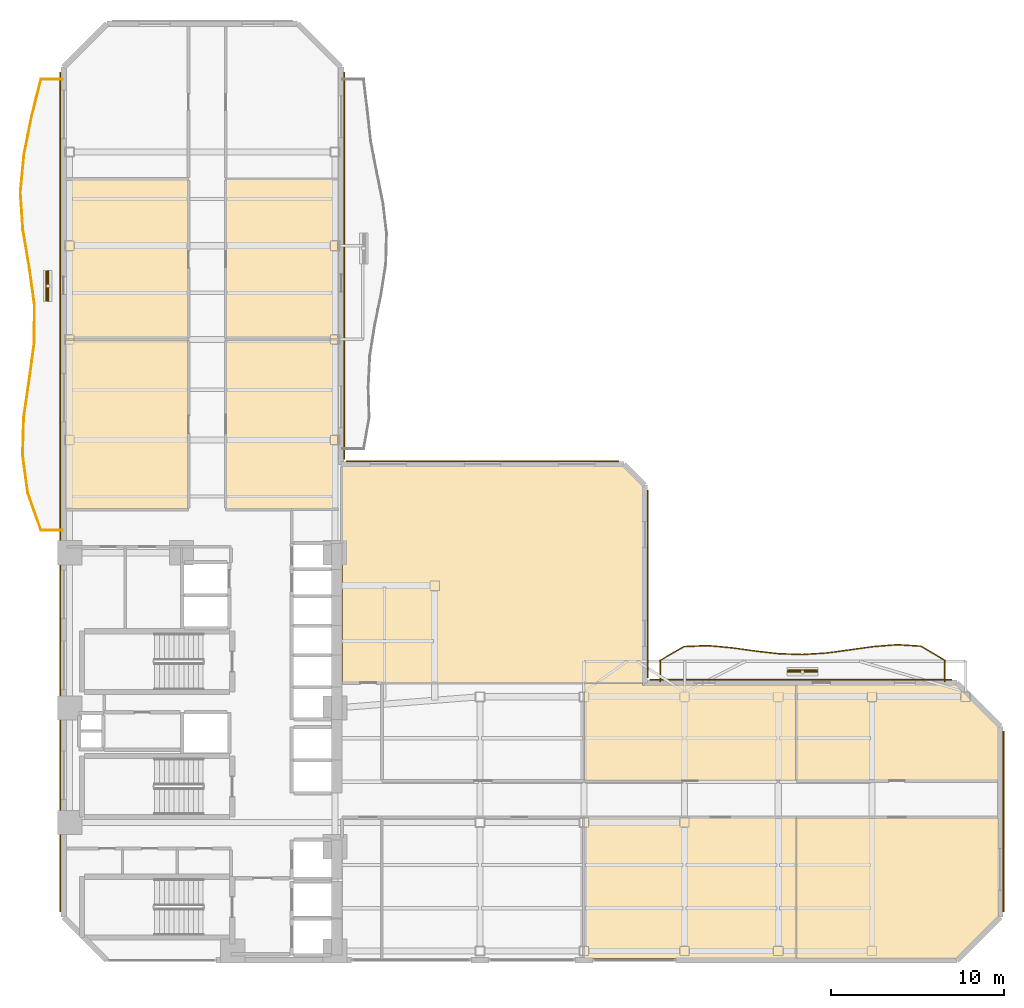
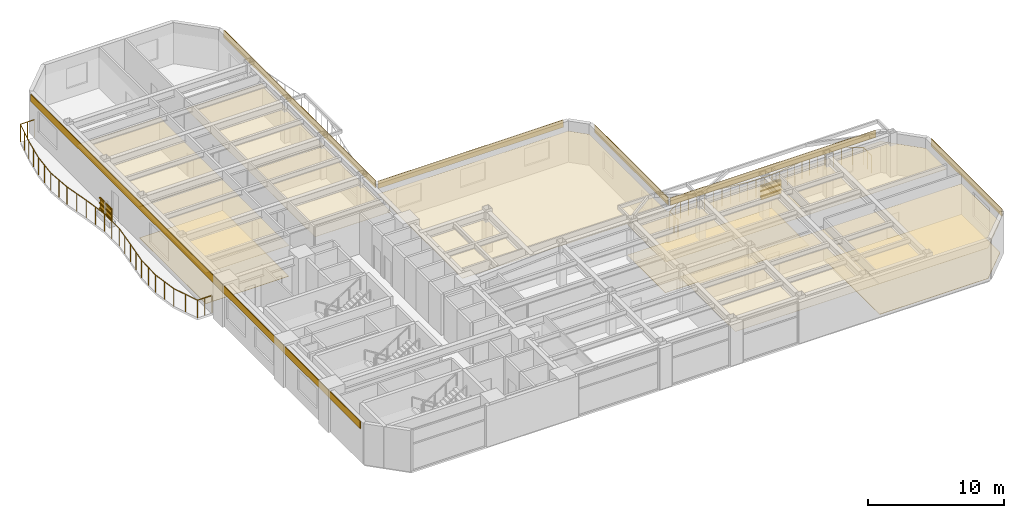
# One storey, part 15 of 16: 18 coverings, 8 shading devices, 2 railings.
"""IFC4 building model written with IfcOpenShell, lengths in metres."""

from ifc_helpers import new_model, si_unit, direction, frame, origin, origin_2d, place, context, subcontext, project, spatial, polyline, rectangle, outline, extrude, material, layer, layer_set, material_profile, profile_set, type_object, element, save


model = new_model("IFC4")

# Units and contexts
model_context = context("Model", 3, precision=1e-05, world=origin(), true_north=direction((0.0, 1.0)))
body_context = subcontext(model_context, "Body", "Model", "MODEL_VIEW")
ifc_project = project(units=[si_unit("LENGTHUNIT", "METRE"), si_unit("AREAUNIT", "SQUARE_METRE"), si_unit("VOLUMEUNIT", "CUBIC_METRE"), si_unit("PLANEANGLEUNIT", "RADIAN"), si_unit("MASSUNIT", "GRAM", prefix="KILO")], contexts=[model_context])

# Site, building, storey
site_placement = place(None, origin())
site = spatial("IfcSite", under=ifc_project, at=site_placement, CompositionType="ELEMENT")
building_placement = place(site_placement, origin())
building = spatial("IfcBuilding", under=site, at=building_placement, Name="Mawjaban Terraces University", CompositionType="ELEMENT")
storey_placement = place(building_placement, frame((0.0, 0.0, 38.800048828125)))
storey = spatial("IfcBuildingStorey", under=building, at=storey_placement, Name="L08", CompositionType="ELEMENT", Elevation=38.800048828125)

# Coverings
ifc_material_1 = material(Name="Acoustic mineral fibre ceiling tile", Category="masonry")
ifc_layer_1 = layer(ifc_material_1, 0.02001953125)
ifc_layer_set_1 = layer_set([ifc_layer_1], Name="Acoustic mineral fibre ceiling tile")
covering_type_1 = type_object("IfcCoveringType", Name="AcousticMineralCeiling_20", PredefinedType="CEILING", material=ifc_layer_set_1)
covering_1_placement = place(storey_placement, frame((0.0, 0.0, 2.75)))
element("IfcCovering", 1, at=covering_1_placement, inside=storey, type_object=covering_type_1, Name="L08 Teaching Laboratory 4 Acoustic Ceiling", PredefinedType="CEILING", context=body_context, shape_type="SweptSolid", body=[
    extrude(outline(polyline([(52.030029296875, 0.114990234375), (64.2060546875, 0.114990234375), (64.2060546875, 8.219970703125), (52.030029296875, 8.219970703125), (52.030029296875, 0.114990234375)])), origin(), (0.0, 0.0, 1.0), 0.02001953125),
])
covering_2_placement = place(storey_placement, frame((0.0, 0.0, 2.75)))
element("IfcCovering", 2, at=covering_2_placement, inside=storey, type_object=covering_type_1, Name="L08 Seminar Room 5 Acoustic Ceiling", PredefinedType="CEILING", context=body_context, shape_type="SweptSolid", body=[
    extrude(outline(polyline([(64.2060546875, 15.885009765625), (55.385009765625, 15.885009765625), (55.385009765625, 15.969970703125), (52.030029296875, 15.969970703125), (52.030029296875, 10.3798828125), (64.2060546875, 10.3798828125), (64.2060546875, 15.885009765625)])), origin(), (0.0, 0.0, 1.0), 0.02001953125),
])
covering_3_placement = place(storey_placement, frame((0.0, 0.0, 2.75)))
element("IfcCovering", 3, at=covering_3_placement, inside=storey, type_object=covering_type_1, Name="L08 Classroom 6 Acoustic Ceiling", PredefinedType="CEILING", context=body_context, shape_type="SweptSolid", body=[
    extrude(outline(polyline([(64.26611328125, 0.114990234375), (73.452880859375, 0.114990234375), (75.885009765625, 2.547119140625), (75.885009765625, 8.219970703125), (64.26611328125, 8.219970703125), (64.26611328125, 0.114990234375)])), origin(), (0.0, 0.0, 1.0), 0.02001953125),
])
covering_4_placement = place(storey_placement, frame((0.0, 0.0, 2.75)))
element("IfcCovering", 4, at=covering_4_placement, inside=storey, type_object=covering_type_1, Name="L08 Faculty Office 7 Acoustic Ceiling", PredefinedType="CEILING", context=body_context, shape_type="SweptSolid", body=[
    extrude(outline(polyline([(75.885009765625, 10.3798828125), (75.885009765625, 13.452880859375), (73.452880859375, 15.885009765625), (64.26611328125, 15.885009765625), (64.26611328125, 10.3798828125), (75.885009765625, 10.3798828125)])), origin(), (0.0, 0.0, 1.0), 0.02001953125),
])
covering_5_placement = place(storey_placement, frame((0.0, 0.0, 2.75)))
element("IfcCovering", 5, at=covering_5_placement, inside=storey, type_object=covering_type_1, Name="L08 Classroom 8 Acoustic Ceiling", PredefinedType="CEILING", context=body_context, shape_type="SweptSolid", body=[
    extrude(outline(polyline([(22.114990234375, 35.77001953125), (22.114990234375, 26.030029296875), (29.169921875, 26.030029296875), (29.169921875, 35.77001953125), (22.114990234375, 35.77001953125)])), origin(), (0.0, 0.0, 1.0), 0.02001953125),
])
covering_6_placement = place(storey_placement, frame((0.0, 0.0, 2.75)))
element("IfcCovering", 6, at=covering_6_placement, inside=storey, type_object=covering_type_1, Name="L08 Computational Laboratory 9 Acoustic Ceiling", PredefinedType="CEILING", context=body_context, shape_type="SweptSolid", body=[
    extrude(outline(polyline([(37.820068359375, 26.030029296875), (37.820068359375, 35.77001953125), (31.3798828125, 35.77001953125), (31.3798828125, 26.030029296875), (37.820068359375, 26.030029296875)])), origin(), (0.0, 0.0, 1.0), 0.02001953125),
])
covering_7_placement = place(storey_placement, frame((0.0, 0.0, 2.75)))
element("IfcCovering", 7, at=covering_7_placement, inside=storey, type_object=covering_type_1, Name="L08 Design Studio 10 Acoustic Ceiling", PredefinedType="CEILING", context=body_context, shape_type="SweptSolid", body=[
    extrude(outline(polyline([(22.114990234375, 45.010009765625), (22.114990234375, 35.830078125), (29.169921875, 35.830078125), (29.169921875, 45.010009765625), (22.114990234375, 45.010009765625)])), origin(), (0.0, 0.0, 1.0), 0.02001953125),
])
covering_8_placement = place(storey_placement, frame((0.0, 0.0, 2.75)))
element("IfcCovering", 8, at=covering_8_placement, inside=storey, type_object=covering_type_1, Name="L08 Faculty Office 11 Acoustic Ceiling", PredefinedType="CEILING", context=body_context, shape_type="SweptSolid", body=[
    extrude(outline(polyline([(37.820068359375, 35.830078125), (37.820068359375, 45.010009765625), (31.3798828125, 45.010009765625), (31.3798828125, 35.830078125), (37.820068359375, 35.830078125)])), origin(), (0.0, 0.0, 1.0), 0.02001953125),
])
covering_9_placement = place(storey_placement, frame((0.0, 0.0, 2.75)))
element("IfcCovering", 9, at=covering_9_placement, inside=storey, type_object=covering_type_1, Name="L08 Terrace Collaborative Study Room Acoustic Ceiling", PredefinedType="CEILING", context=body_context, shape_type="SweptSolid", body=[
    extrude(outline(polyline([(55.385009765625, 16.030029296875), (55.385009765625, 27.35302734375), (54.2529296875, 28.485107421875), (38.080078125, 28.485107421875), (38.080078125, 16.030029296875), (55.385009765625, 16.030029296875)])), origin(), (0.0, 0.0, 1.0), 0.02001953125),
])

# Railings
ifc_material_2 = material(Name="Galvanised powder-coated steel S355", Category="steel")
railing_type = type_object("IfcRailingType", Name="BalconyBalustrade_1600", PredefinedType="BALUSTRADE", material=ifc_material_2)
railing_1_placement = place(storey_placement, frame((21.919921875, 24.800048828125, 0.0)))
element("IfcRailing", 10, at=railing_1_placement, inside=storey, type_object=railing_type, Name="L08 Balcony Guardrail west", PredefinedType="BALUSTRADE", context=body_context, shape_type="SweptSolid", body=[
    extrude(rectangle(XDim=0.048095703125, YDim=0.048095703125, at=origin_2d()), frame((0.0, 0.0, 1.576171875), z_axis=(-1.0, 0.0, 0.0), x_axis=(0.0, -1.0, 0.0)), (0.0, 0.0, 1.0), 1.219970703125),
    extrude(rectangle(XDim=0.048095703125, YDim=0.048095703125, at=origin_2d()), frame((-1.219970703125, 0.0, 1.576171875), z_axis=(-0.332091827978, 0.943247060844, 0.0), x_axis=(-0.943247060844, -0.332091827978, 0.0)), (0.0, 0.0, 1.0), 2.29736328125),
    extrude(rectangle(XDim=0.048095703125, YDim=0.048095703125, at=origin_2d()), frame((-1.98291015625, 2.1669921875, 1.576171875), z_axis=(-0.134036483036, 0.99097639791, 0.0), x_axis=(-0.99097639791, -0.134036483036, 0.0)), (0.0, 0.0, 1.0), 2.185791015625),
    extrude(rectangle(XDim=0.048095703125, YDim=0.048095703125, at=origin_2d()), frame((-2.27587890625, 4.3330078125, 1.576171875), z_axis=(0.027704548694, 0.999616155322, 0.0), x_axis=(-0.999616155322, 0.027704548694, 0.0)), (0.0, 0.0, 1.0), 2.167724609375),
    extrude(rectangle(XDim=0.048095703125, YDim=0.048095703125, at=origin_2d()), frame((-2.2158203125, 6.5, 1.576171875), z_axis=(0.145134557046, 0.989411926526, 0.0), x_axis=(-0.989411926526, 0.145134557046, 0.0)), (0.0, 0.0, 1.0), 2.190185546875),
    extrude(rectangle(XDim=0.048095703125, YDim=0.048095703125, at=origin_2d()), frame((-1.89794921875, 8.6669921875, 1.576171875), z_axis=(0.134036483036, 0.99097639791, 0.0), x_axis=(-0.99097639791, 0.134036483036, 0.0)), (0.0, 0.0, 1.0), 2.185791015625),
    extrude(rectangle(XDim=0.048095703125, YDim=0.048095703125, at=origin_2d()), frame((-1.60498046875, 10.8330078125, 1.576171875), z_axis=(0.004168508172, 0.999991311732, 0.0), x_axis=(-0.999991311732, 0.004168508172, 0.0)), (0.0, 0.0, 1.0), 2.1669921875),
    extrude(rectangle(XDim=0.048095703125, YDim=0.048095703125, at=origin_2d()), frame((-1.595947265625, 13.0, 1.576171875), z_axis=(-0.135730828376, 0.990745750548, 0.0), x_axis=(-0.990745750548, -0.135730828376, 0.0)), (0.0, 0.0, 1.0), 2.187255859375),
    extrude(rectangle(XDim=0.048095703125, YDim=0.048095703125, at=origin_2d()), frame((-1.892822265625, 15.1669921875, 1.576171875), z_axis=(-0.16843338227, 0.985713039245, 0.0), x_axis=(-0.985713039245, -0.16843338227, 0.0)), (0.0, 0.0, 1.0), 2.197509765625),
    extrude(rectangle(XDim=0.048095703125, YDim=0.048095703125, at=origin_2d()), frame((-2.262939453125, 17.3330078125, 1.576171875), z_axis=(-0.066325018288, 0.997798071731, 0.0), x_axis=(-0.997798071731, -0.066325018288, 0.0)), (0.0, 0.0, 1.0), 2.171875),
    extrude(rectangle(XDim=0.048095703125, YDim=0.048095703125, at=origin_2d()), frame((-2.406982421875, 19.5, 1.576171875), z_axis=(0.09643887579, 0.995338908732, 0.0), x_axis=(-0.995338908732, 0.09643887579, 0.0)), (0.0, 0.0, 1.0), 2.17724609375),
    extrude(rectangle(XDim=0.048095703125, YDim=0.048095703125, at=origin_2d()), frame((-2.197021484375, 21.6669921875, 1.576171875), z_axis=(0.195223187097, 0.98075884254, 0.0), x_axis=(-0.98075884254, 0.195223187097, 0.0)), (0.0, 0.0, 1.0), 2.20849609375),
    extrude(rectangle(XDim=0.048095703125, YDim=0.048095703125, at=origin_2d()), frame((-1.765869140625, 23.8330078125, 1.576171875), z_axis=(0.24428323301, 0.969703924953, 0.0), x_axis=(-0.969703924953, 0.24428323301, 0.0)), (0.0, 0.0, 1.0), 2.234619140625),
    extrude(rectangle(XDim=0.048095703125, YDim=0.048095703125, at=origin_2d()), frame((-1.219970703125, 26.0, 1.576171875), z_axis=(1.0, 0.0, 0.0), x_axis=(0.0, 1.0, 0.0)), (0.0, 0.0, 1.0), 1.219970703125),
    extrude(rectangle(XDim=0.0419921875, YDim=0.0419921875, at=origin_2d()), origin(), (0.0, 0.0, 1.0), 1.552001953125),
    extrude(rectangle(XDim=0.0419921875, YDim=0.0419921875, at=origin_2d()), frame((-0.60986328125, 0.0, 0.0)), (0.0, 0.0, 1.0), 1.552001953125),
    extrude(rectangle(XDim=0.0419921875, YDim=0.0419921875, at=origin_2d()), frame((-1.219970703125, 0.0, 0.0)), (0.0, 0.0, 1.0), 1.552001953125),
    extrude(rectangle(XDim=0.0419921875, YDim=0.0419921875, at=origin_2d()), frame((-1.6015625, 1.08349609375, 0.0)), (0.0, 0.0, 1.0), 1.552001953125),
    extrude(rectangle(XDim=0.0419921875, YDim=0.0419921875, at=origin_2d()), frame((-1.98291015625, 2.1669921875, 0.0)), (0.0, 0.0, 1.0), 1.552001953125),
    extrude(rectangle(XDim=0.0419921875, YDim=0.0419921875, at=origin_2d()), frame((-2.12939453125, 3.25, 0.0)), (0.0, 0.0, 1.0), 1.552001953125),
    extrude(rectangle(XDim=0.0419921875, YDim=0.0419921875, at=origin_2d()), frame((-2.27587890625, 4.3330078125, 0.0)), (0.0, 0.0, 1.0), 1.552001953125),
    extrude(rectangle(XDim=0.0419921875, YDim=0.0419921875, at=origin_2d()), frame((-2.245849609375, 5.41650390625, 0.0)), (0.0, 0.0, 1.0), 1.552001953125),
    extrude(rectangle(XDim=0.0419921875, YDim=0.0419921875, at=origin_2d()), frame((-2.2158203125, 6.5, 0.0)), (0.0, 0.0, 1.0), 1.552001953125),
    extrude(rectangle(XDim=0.0419921875, YDim=0.0419921875, at=origin_2d()), frame((-2.056884765625, 7.58349609375, 0.0)), (0.0, 0.0, 1.0), 1.552001953125),
    extrude(rectangle(XDim=0.0419921875, YDim=0.0419921875, at=origin_2d()), frame((-1.89794921875, 8.6669921875, 0.0)), (0.0, 0.0, 1.0), 1.552001953125),
    extrude(rectangle(XDim=0.0419921875, YDim=0.0419921875, at=origin_2d()), frame((-1.75146484375, 9.75, 0.0)), (0.0, 0.0, 1.0), 1.552001953125),
    extrude(rectangle(XDim=0.0419921875, YDim=0.0419921875, at=origin_2d()), frame((-1.60498046875, 10.8330078125, 0.0)), (0.0, 0.0, 1.0), 1.552001953125),
    extrude(rectangle(XDim=0.0419921875, YDim=0.0419921875, at=origin_2d()), frame((-1.6005859375, 11.91650390625, 0.0)), (0.0, 0.0, 1.0), 1.552001953125),
    extrude(rectangle(XDim=0.0419921875, YDim=0.0419921875, at=origin_2d()), frame((-1.595947265625, 13.0, 0.0)), (0.0, 0.0, 1.0), 1.552001953125),
    extrude(rectangle(XDim=0.0419921875, YDim=0.0419921875, at=origin_2d()), frame((-1.744384765625, 14.08349609375, 0.0)), (0.0, 0.0, 1.0), 1.552001953125),
    extrude(rectangle(XDim=0.0419921875, YDim=0.0419921875, at=origin_2d()), frame((-1.892822265625, 15.1669921875, 0.0)), (0.0, 0.0, 1.0), 1.552001953125),
    extrude(rectangle(XDim=0.0419921875, YDim=0.0419921875, at=origin_2d()), frame((-2.077880859375, 16.25, 0.0)), (0.0, 0.0, 1.0), 1.552001953125),
    extrude(rectangle(XDim=0.0419921875, YDim=0.0419921875, at=origin_2d()), frame((-2.262939453125, 17.3330078125, 0.0)), (0.0, 0.0, 1.0), 1.552001953125),
    extrude(rectangle(XDim=0.0419921875, YDim=0.0419921875, at=origin_2d()), frame((-2.3349609375, 18.41650390625, 0.0)), (0.0, 0.0, 1.0), 1.552001953125),
    extrude(rectangle(XDim=0.0419921875, YDim=0.0419921875, at=origin_2d()), frame((-2.406982421875, 19.5, 0.0)), (0.0, 0.0, 1.0), 1.552001953125),
    extrude(rectangle(XDim=0.0419921875, YDim=0.0419921875, at=origin_2d()), frame((-2.302001953125, 20.58349609375, 0.0)), (0.0, 0.0, 1.0), 1.552001953125),
    extrude(rectangle(XDim=0.0419921875, YDim=0.0419921875, at=origin_2d()), frame((-2.197021484375, 21.6669921875, 0.0)), (0.0, 0.0, 1.0), 1.552001953125),
    extrude(rectangle(XDim=0.0419921875, YDim=0.0419921875, at=origin_2d()), frame((-1.9814453125, 22.75, 0.0)), (0.0, 0.0, 1.0), 1.552001953125),
    extrude(rectangle(XDim=0.0419921875, YDim=0.0419921875, at=origin_2d()), frame((-1.765869140625, 23.8330078125, 0.0)), (0.0, 0.0, 1.0), 1.552001953125),
    extrude(rectangle(XDim=0.0419921875, YDim=0.0419921875, at=origin_2d()), frame((-1.492919921875, 24.91650390625, 0.0)), (0.0, 0.0, 1.0), 1.552001953125),
    extrude(rectangle(XDim=0.0419921875, YDim=0.0419921875, at=origin_2d()), frame((-1.219970703125, 26.0, 0.0)), (0.0, 0.0, 1.0), 1.552001953125),
    extrude(rectangle(XDim=0.0419921875, YDim=0.0419921875, at=origin_2d()), frame((-0.60986328125, 26.0, 0.0)), (0.0, 0.0, 1.0), 1.552001953125),
    extrude(rectangle(XDim=0.0419921875, YDim=0.0419921875, at=origin_2d()), frame((0.0, 26.0, 0.0)), (0.0, 0.0, 1.0), 1.552001953125),
])
railing_2_placement = place(storey_placement, frame((56.39990234375, 16.080078125, 0.0)))
element("IfcRailing", 11, at=railing_2_placement, inside=storey, type_object=railing_type, Name="L08 Balcony Guardrail inner_north", PredefinedType="BALUSTRADE", context=body_context, shape_type="SweptSolid", body=[
    extrude(rectangle(XDim=0.048095703125, YDim=0.048095703125, at=origin_2d()), frame((0.0, 0.0, 1.576171875), z_axis=(0.0, 1.0, 0.0), x_axis=(-1.0, 0.0, 0.0)), (0.0, 0.0, 1.0), 1.219970703125),
    extrude(rectangle(XDim=0.048095703125, YDim=0.048095703125, at=origin_2d()), frame((0.0, 1.219970703125, 1.576171875), z_axis=(0.86395790499, 0.503564036052, 0.0), x_axis=(-0.503564036052, 0.86395790499, 0.0)), (0.0, 0.0, 1.0), 1.58251953125),
    extrude(rectangle(XDim=0.048095703125, YDim=0.048095703125, at=origin_2d()), frame((1.3671875, 2.016845703125, 1.576171875), z_axis=(0.999185191318, 0.040360295485, 0.0), x_axis=(-0.040360295485, 0.999185191318, 0.0)), (0.0, 0.0, 1.0), 1.3671875),
    extrude(rectangle(XDim=0.048095703125, YDim=0.048095703125, at=origin_2d()), frame((2.733154296875, 2.072021484375, 1.576171875), z_axis=(0.996036298235, -0.08894769586, 0.0), x_axis=(0.08894769586, 0.996036298235, 0.0)), (0.0, 0.0, 1.0), 1.372314453125),
    extrude(rectangle(XDim=0.048095703125, YDim=0.048095703125, at=origin_2d()), frame((4.10009765625, 1.949951171875, 1.576171875), z_axis=(0.990483566624, -0.137631043907, 0.0), x_axis=(0.137631043907, 0.990483566624, 0.0)), (0.0, 0.0, 1.0), 1.380126953125),
    extrude(rectangle(XDim=0.048095703125, YDim=0.048095703125, at=origin_2d()), frame((5.467041015625, 1.760009765625, 1.576171875), z_axis=(0.993621093247, -0.112770222379, 0.0), x_axis=(0.112770222379, 0.993621093247, 0.0)), (0.0, 0.0, 1.0), 1.374755859375),
    extrude(rectangle(XDim=0.048095703125, YDim=0.048095703125, at=origin_2d()), frame((6.8330078125, 1.60498046875, 1.576171875), z_axis=(0.999430954837, -0.033730794726, 0.0), x_axis=(0.033730794726, 0.999430954837, 0.0)), (0.0, 0.0, 1.0), 1.367919921875),
    extrude(rectangle(XDim=0.048095703125, YDim=0.048095703125, at=origin_2d()), frame((8.2001953125, 1.558837890625, 1.576171875), z_axis=(0.998018445058, 0.062922041633, 0.0), x_axis=(-0.062922041633, 0.998018445058, 0.0)), (0.0, 0.0, 1.0), 1.36962890625),
    extrude(rectangle(XDim=0.048095703125, YDim=0.048095703125, at=origin_2d()), frame((9.567138671875, 1.64501953125, 1.576171875), z_axis=(0.991251095089, 0.131989645369, 0.0), x_axis=(-0.131989645369, 0.991251095089, 0.0)), (0.0, 0.0, 1.0), 1.3779296875),
    extrude(rectangle(XDim=0.048095703125, YDim=0.048095703125, at=origin_2d()), frame((10.93310546875, 1.826904296875, 1.576171875), z_axis=(0.990167594089, 0.139886152335, 0.0), x_axis=(-0.139886152335, 0.990167594089, 0.0)), (0.0, 0.0, 1.0), 1.380615234375),
    extrude(rectangle(XDim=0.048095703125, YDim=0.048095703125, at=origin_2d()), frame((12.300048828125, 2.02001953125, 1.576171875), z_axis=(0.997118041803, 0.075865741348, 0.0), x_axis=(-0.075865741348, 0.997118041803, 0.0)), (0.0, 0.0, 1.0), 1.370849609375),
    extrude(rectangle(XDim=0.048095703125, YDim=0.048095703125, at=origin_2d()), frame((13.6669921875, 2.1240234375, 1.576171875), z_axis=(0.998060897334, -0.062245041667, 0.0), x_axis=(0.062245041667, 0.998060897334, 0.0)), (0.0, 0.0, 1.0), 1.368896484375),
    extrude(rectangle(XDim=0.048095703125, YDim=0.048095703125, at=origin_2d()), frame((15.033203125, 2.038818359375, 1.576171875), z_axis=(0.857857725068, -0.513887267347, 0.0), x_axis=(0.513887267347, 0.857857725068, 0.0)), (0.0, 0.0, 1.0), 1.593505859375),
    extrude(rectangle(XDim=0.048095703125, YDim=0.048095703125, at=origin_2d()), frame((16.400146484375, 1.219970703125, 1.576171875), z_axis=(0.0, -1.0, 0.0), x_axis=(1.0, 0.0, 0.0)), (0.0, 0.0, 1.0), 1.219970703125),
    extrude(rectangle(XDim=0.0419921875, YDim=0.0419921875, at=origin_2d()), origin(), (0.0, 0.0, 1.0), 1.552001953125),
    extrude(rectangle(XDim=0.0419921875, YDim=0.0419921875, at=origin_2d()), frame((0.0, 0.60986328125, 0.0)), (0.0, 0.0, 1.0), 1.552001953125),
    extrude(rectangle(XDim=0.0419921875, YDim=0.0419921875, at=origin_2d()), frame((0.0, 1.219970703125, 0.0)), (0.0, 0.0, 1.0), 1.552001953125),
    extrude(rectangle(XDim=0.0419921875, YDim=0.0419921875, at=origin_2d()), frame((0.68359375, 1.618408203125, 0.0)), (0.0, 0.0, 1.0), 1.552001953125),
    extrude(rectangle(XDim=0.0419921875, YDim=0.0419921875, at=origin_2d()), frame((1.3671875, 2.016845703125, 0.0)), (0.0, 0.0, 1.0), 1.552001953125),
    extrude(rectangle(XDim=0.0419921875, YDim=0.0419921875, at=origin_2d()), frame((2.05029296875, 2.04443359375, 0.0)), (0.0, 0.0, 1.0), 1.552001953125),
    extrude(rectangle(XDim=0.0419921875, YDim=0.0419921875, at=origin_2d()), frame((2.733154296875, 2.072021484375, 0.0)), (0.0, 0.0, 1.0), 1.552001953125),
    extrude(rectangle(XDim=0.0419921875, YDim=0.0419921875, at=origin_2d()), frame((3.41650390625, 2.010986328125, 0.0)), (0.0, 0.0, 1.0), 1.552001953125),
    extrude(rectangle(XDim=0.0419921875, YDim=0.0419921875, at=origin_2d()), frame((4.10009765625, 1.949951171875, 0.0)), (0.0, 0.0, 1.0), 1.552001953125),
    extrude(rectangle(XDim=0.0419921875, YDim=0.0419921875, at=origin_2d()), frame((4.78369140625, 1.85498046875, 0.0)), (0.0, 0.0, 1.0), 1.552001953125),
    extrude(rectangle(XDim=0.0419921875, YDim=0.0419921875, at=origin_2d()), frame((5.467041015625, 1.760009765625, 0.0)), (0.0, 0.0, 1.0), 1.552001953125),
    extrude(rectangle(XDim=0.0419921875, YDim=0.0419921875, at=origin_2d()), frame((6.14990234375, 1.6826171875, 0.0)), (0.0, 0.0, 1.0), 1.552001953125),
    extrude(rectangle(XDim=0.0419921875, YDim=0.0419921875, at=origin_2d()), frame((6.8330078125, 1.60498046875, 0.0)), (0.0, 0.0, 1.0), 1.552001953125),
    extrude(rectangle(XDim=0.0419921875, YDim=0.0419921875, at=origin_2d()), frame((7.5166015625, 1.58203125, 0.0)), (0.0, 0.0, 1.0), 1.552001953125),
    extrude(rectangle(XDim=0.0419921875, YDim=0.0419921875, at=origin_2d()), frame((8.2001953125, 1.558837890625, 0.0)), (0.0, 0.0, 1.0), 1.552001953125),
    extrude(rectangle(XDim=0.0419921875, YDim=0.0419921875, at=origin_2d()), frame((8.8837890625, 1.60205078125, 0.0)), (0.0, 0.0, 1.0), 1.552001953125),
    extrude(rectangle(XDim=0.0419921875, YDim=0.0419921875, at=origin_2d()), frame((9.567138671875, 1.64501953125, 0.0)), (0.0, 0.0, 1.0), 1.552001953125),
    extrude(rectangle(XDim=0.0419921875, YDim=0.0419921875, at=origin_2d()), frame((10.25, 1.73583984375, 0.0)), (0.0, 0.0, 1.0), 1.552001953125),
    extrude(rectangle(XDim=0.0419921875, YDim=0.0419921875, at=origin_2d()), frame((10.93310546875, 1.826904296875, 0.0)), (0.0, 0.0, 1.0), 1.552001953125),
    extrude(rectangle(XDim=0.0419921875, YDim=0.0419921875, at=origin_2d()), frame((11.61669921875, 1.92333984375, 0.0)), (0.0, 0.0, 1.0), 1.552001953125),
    extrude(rectangle(XDim=0.0419921875, YDim=0.0419921875, at=origin_2d()), frame((12.300048828125, 2.02001953125, 0.0)), (0.0, 0.0, 1.0), 1.552001953125),
    extrude(rectangle(XDim=0.0419921875, YDim=0.0419921875, at=origin_2d()), frame((12.9833984375, 2.072021484375, 0.0)), (0.0, 0.0, 1.0), 1.552001953125),
    extrude(rectangle(XDim=0.0419921875, YDim=0.0419921875, at=origin_2d()), frame((13.6669921875, 2.1240234375, 0.0)), (0.0, 0.0, 1.0), 1.552001953125),
    extrude(rectangle(XDim=0.0419921875, YDim=0.0419921875, at=origin_2d()), frame((14.35009765625, 2.08154296875, 0.0)), (0.0, 0.0, 1.0), 1.552001953125),
    extrude(rectangle(XDim=0.0419921875, YDim=0.0419921875, at=origin_2d()), frame((15.033203125, 2.038818359375, 0.0)), (0.0, 0.0, 1.0), 1.552001953125),
    extrude(rectangle(XDim=0.0419921875, YDim=0.0419921875, at=origin_2d()), frame((15.716796875, 1.62939453125, 0.0)), (0.0, 0.0, 1.0), 1.552001953125),
    extrude(rectangle(XDim=0.0419921875, YDim=0.0419921875, at=origin_2d()), frame((16.400146484375, 1.219970703125, 0.0)), (0.0, 0.0, 1.0), 1.552001953125),
    extrude(rectangle(XDim=0.0419921875, YDim=0.0419921875, at=origin_2d()), frame((16.400146484375, 0.60986328125, 0.0)), (0.0, 0.0, 1.0), 1.552001953125),
    extrude(rectangle(XDim=0.0419921875, YDim=0.0419921875, at=origin_2d()), frame((16.400146484375, 0.0, 0.0)), (0.0, 0.0, 1.0), 1.552001953125),
])

# Shading devices
ifc_material_3 = material(Name="Glazed architectural terracotta ceramic", Category="masonry")
ifc_material_profile = material_profile(ifc_material_3, rectangle(XDim=0.06494140625, YDim=0.110107421875, at=origin_2d()), Name="TBAG110X65")
ifc_profile_set = profile_set([ifc_material_profile], Name="Glazed architectural terracotta ceramic")
shading_device_type_1 = type_object("IfcShadingDeviceType", Name="TerracottaBaguette_110x65", PredefinedType="USERDEFINED", material=ifc_profile_set)
for number, where, z_axis, x_axis, name in (
    (12, (21.008056640625, 38.032958984375, 0.679931640625), (0.0, 1.0, 0.0), (-1.0, 0.0, 0.0), "L08 Horizontal Terracotta Baguette west.1"),
    (13, (21.008056640625, 38.032958984375, 1.14990234375), (0.0, 1.0, 0.0), (-1.0, 0.0, 0.0), "L08 Horizontal Terracotta Baguette west.2"),
    (14, (21.008056640625, 38.032958984375, 1.619873046875), (0.0, 1.0, 0.0), (-1.0, 0.0, 0.0), "L08 Horizontal Terracotta Baguette west.3"),
    (15, (63.75, 16.72998046875, 0.679931640625), (1.0, 0.0, 0.0), (0.0, 1.0, 0.0), "L08 Horizontal Terracotta Baguette inner_north.1"),
    (16, (63.75, 16.72998046875, 1.14990234375), (1.0, 0.0, 0.0), (0.0, 1.0, 0.0), "L08 Horizontal Terracotta Baguette inner_north.2"),
    (17, (63.75, 16.72998046875, 1.619873046875), (1.0, 0.0, 0.0), (0.0, 1.0, 0.0), "L08 Horizontal Terracotta Baguette inner_north.3"),
):
    element("IfcShadingDevice", number, at=place(storey_placement, frame(where, z_axis=z_axis, x_axis=x_axis)), inside=storey, type_object=shading_device_type_1, Name=name, ObjectType="BAGUETTE", PredefinedType="USERDEFINED", context=body_context, shape_type="SweptSolid", body=[
        extrude(rectangle(XDim=0.06494140625, YDim=0.110107421875, at=origin_2d()), origin(), (0.0, 0.0, 1.0), 1.699951171875),
    ])
ifc_layer_2 = layer(ifc_material_3, 0.080078125)
ifc_layer_set_2 = layer_set([ifc_layer_2], Name="Glazed architectural terracotta ceramic")
shading_device_type_2 = type_object("IfcShadingDeviceType", Name="TerracottaScreen_Perforated", PredefinedType="USERDEFINED", material=ifc_layer_set_2)
for number, where, z_axis, x_axis, name in (
    (18, (21.093017578125, 38.883056640625, 0.43994140625), (0.0, 0.0, 1.0), (0.0, 1.0, 0.0), "L08 Balcony Perforated Terracotta Screen west"),
    (19, (64.60009765625, 16.64501953125, 0.43994140625), (0.0, 0.0, 1.0), (1.0, 0.0, 0.0), "L08 Balcony Perforated Terracotta Screen inner_north"),
):
    element("IfcShadingDevice", number, at=place(storey_placement, frame(where, z_axis=z_axis, x_axis=x_axis)), inside=storey, type_object=shading_device_type_2, Name=name, ObjectType="SCREEN", PredefinedType="USERDEFINED", context=body_context, shape_type="SweptSolid", body=[
        extrude(rectangle(XDim=1.75, YDim=0.080078125, at=origin_2d()), origin(), (0.0, 0.0, 1.0), 1.14990234375),
    ])

# Coverings
ifc_material_4 = material(Name="Glazed architectural terracotta rainscreen", Category="masonry")
ifc_layer_3 = layer(ifc_material_4, 0.06005859375)
ifc_layer_set_3 = layer_set([ifc_layer_3], Name="Glazed architectural terracotta rainscreen")
covering_type_2 = type_object("IfcCoveringType", Name="TerracottaSpandrelCladding_60", PredefinedType="CLADDING", material=ifc_layer_set_3)
covering_10_placement = place(storey_placement, frame((76.18505859375, 8.0, 3.014892578125), z_axis=(0.0, 0.0, 1.0), x_axis=(0.0, 1.0, 0.0)))
element("IfcCovering", 20, at=covering_10_placement, inside=storey, type_object=covering_type_2, Name="L08 Terracotta Spandrel Cladding 3", PredefinedType="CLADDING", context=body_context, shape_type="SweptSolid", body=[
    extrude(rectangle(XDim=10.39990234375, YDim=0.06005859375, at=origin_2d()), origin(), (0.0, 0.0, 1.0), 0.64990234375),
])
covering_11_placement = place(storey_placement, frame((64.5, 16.18505859375, 3.014892578125), z_axis=(0.0, 0.0, 1.0), x_axis=(-1.0, 0.0, 0.0)))
element("IfcCovering", 21, at=covering_11_placement, inside=storey, type_object=covering_type_2, Name="L08 Terracotta Spandrel Cladding 5", PredefinedType="CLADDING", context=body_context, shape_type="SweptSolid", body=[
    extrude(rectangle(XDim=17.39990234375, YDim=0.06005859375, at=origin_2d()), origin(), (0.0, 0.0, 1.0), 0.64990234375),
])
covering_12_placement = place(storey_placement, frame((55.68505859375, 21.699951171875, 3.014892578125), z_axis=(0.0, 0.0, 1.0), x_axis=(0.0, 1.0, 0.0)))
element("IfcCovering", 22, at=covering_12_placement, inside=storey, type_object=covering_type_2, Name="L08 Terracotta Spandrel Cladding 6", PredefinedType="CLADDING", context=body_context, shape_type="SweptSolid", body=[
    extrude(rectangle(XDim=10.800048828125, YDim=0.06005859375, at=origin_2d()), origin(), (0.0, 0.0, 1.0), 0.64990234375),
])
covering_13_placement = place(storey_placement, frame((46.14990234375, 28.784912109375, 3.014892578125), z_axis=(0.0, 0.0, 1.0), x_axis=(-1.0, 0.0, 0.0)))
element("IfcCovering", 23, at=covering_13_placement, inside=storey, type_object=covering_type_2, Name="L08 Terracotta Spandrel Cladding 8", PredefinedType="CLADDING", context=body_context, shape_type="SweptSolid", body=[
    extrude(rectangle(XDim=15.699951171875, YDim=0.06005859375, at=origin_2d()), origin(), (0.0, 0.0, 1.0), 0.64990234375),
])
covering_14_placement = place(storey_placement, frame((38.18505859375, 40.050048828125, 3.014892578125), z_axis=(0.0, 0.0, 1.0), x_axis=(0.0, 1.0, 0.0)))
element("IfcCovering", 24, at=covering_14_placement, inside=storey, type_object=covering_type_2, Name="L08 Terracotta Spandrel Cladding 9", PredefinedType="CLADDING", context=body_context, shape_type="SweptSolid", body=[
    extrude(rectangle(XDim=22.300048828125, YDim=0.06005859375, at=origin_2d()), origin(), (0.0, 0.0, 1.0), 0.64990234375),
])
covering_15_placement = place(storey_placement, frame((21.81494140625, 27.0, 3.014892578125), z_axis=(0.0, 0.0, 1.0), x_axis=(0.0, -1.0, 0.0)))
element("IfcCovering", 25, at=covering_15_placement, inside=storey, type_object=covering_type_2, Name="L08 Terracotta Spandrel Cladding 13", PredefinedType="CLADDING", context=body_context, shape_type="SweptSolid", body=[
    extrude(rectangle(XDim=48.39990234375, YDim=0.06005859375, at=origin_2d()), origin(), (0.0, 0.0, 1.0), 0.64990234375),
])
ifc_material_5 = material(Name="Polished Hijazi granite terrazzo flooring", Category="masonry")
ifc_layer_4 = layer(ifc_material_5, 0.02490234375)
ifc_layer_set_4 = layer_set([ifc_layer_4], Name="Polished Hijazi granite terrazzo flooring")
covering_type_3 = type_object("IfcCoveringType", Name="TerrazzoConcourseFlooring_25", PredefinedType="FLOORING", material=ifc_layer_set_4)
covering_16_placement = place(storey_placement, origin())
element("IfcCovering", 26, at=covering_16_placement, inside=storey, type_object=covering_type_3, Name="L08 Seminar Room 5 Terrazzo Flooring", PredefinedType="FLOORING", context=body_context, shape_type="SweptSolid", body=[
    extrude(outline(polyline([(64.2060546875, 15.885009765625), (55.385009765625, 15.885009765625), (55.385009765625, 15.969970703125), (52.030029296875, 15.969970703125), (52.030029296875, 10.3798828125), (64.2060546875, 10.3798828125), (64.2060546875, 15.885009765625)])), origin(), (0.0, 0.0, 1.0), 0.02490234375),
])
covering_17_placement = place(storey_placement, origin())
element("IfcCovering", 27, at=covering_17_placement, inside=storey, type_object=covering_type_3, Name="L08 Classroom 6 Terrazzo Flooring", PredefinedType="FLOORING", context=body_context, shape_type="SweptSolid", body=[
    extrude(outline(polyline([(64.26611328125, 0.114990234375), (73.452880859375, 0.114990234375), (75.885009765625, 2.547119140625), (75.885009765625, 8.219970703125), (64.26611328125, 8.219970703125), (64.26611328125, 0.114990234375)])), origin(), (0.0, 0.0, 1.0), 0.02490234375),
])
covering_18_placement = place(storey_placement, origin())
element("IfcCovering", 28, at=covering_18_placement, inside=storey, type_object=covering_type_3, Name="L08 Classroom 8 Terrazzo Flooring", PredefinedType="FLOORING", context=body_context, shape_type="SweptSolid", body=[
    extrude(outline(polyline([(22.114990234375, 35.77001953125), (22.114990234375, 26.030029296875), (29.169921875, 26.030029296875), (29.169921875, 35.77001953125), (22.114990234375, 35.77001953125)])), origin(), (0.0, 0.0, 1.0), 0.02490234375),
])

save(model, "model.ifc")
